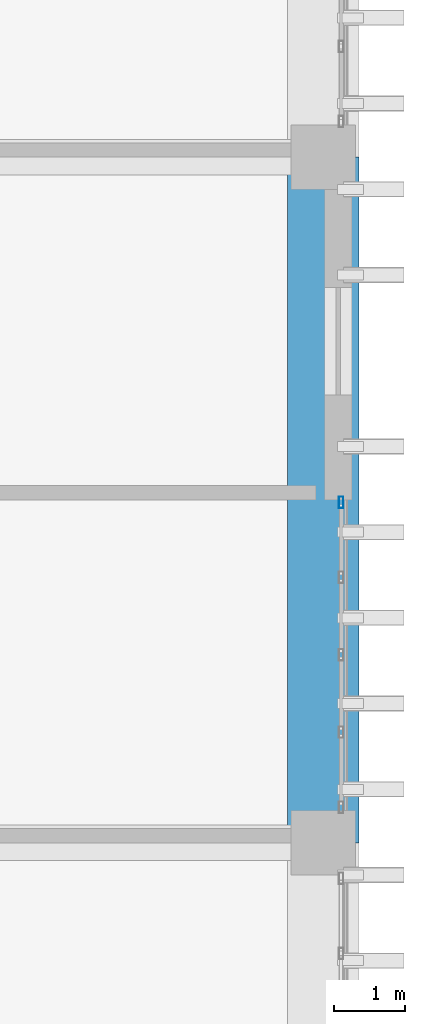
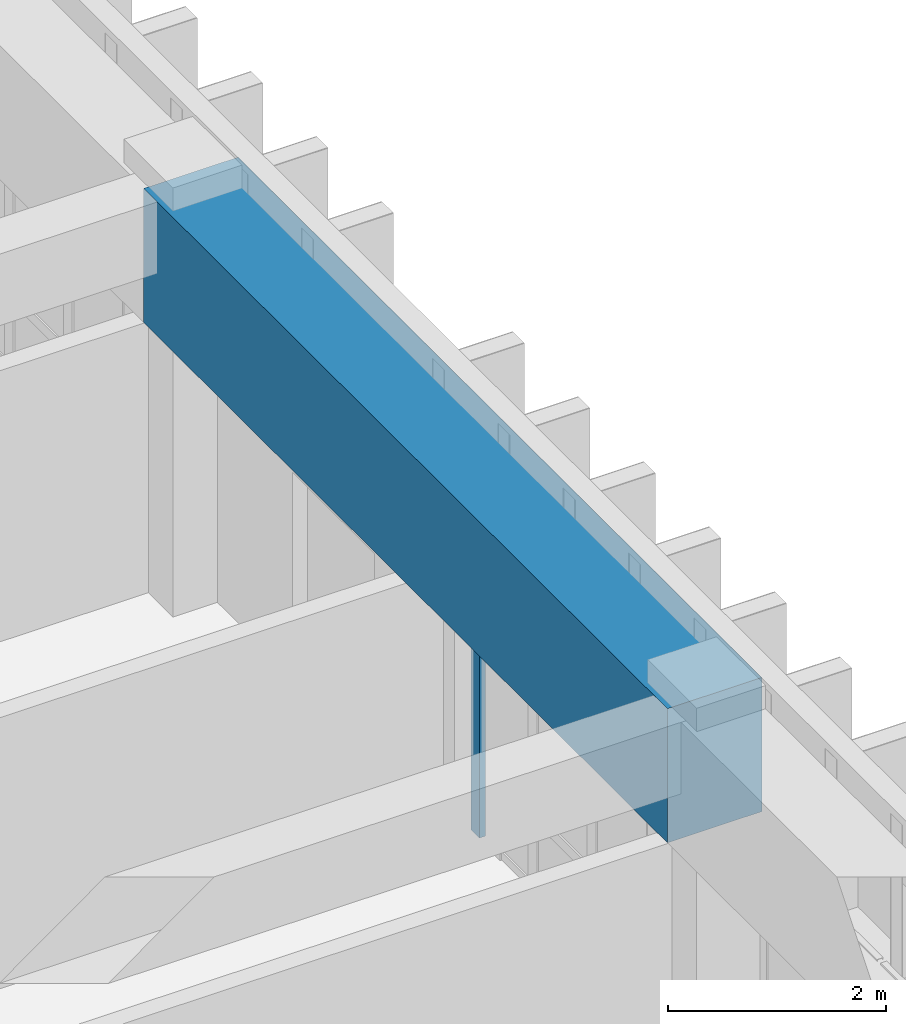
# One storey, part 58 of 101: 1 beam, 1 member, 1 element without a shape of its own.
"""IFC4 building model written with IfcOpenShell, lengths in metres."""

from ifc_helpers import new_model, si_unit, direction, frame, origin, origin_2d, place, context, subcontext, project, spatial, rectangle, hollow_rectangle, extrude, material, layer, layer_set, material_profile, profile_set, type_object, element, aggregate, save


model = new_model("IFC4")

# Units and contexts
model_context = context("Model", 3, precision=1e-05, world=origin(), true_north=direction((0.0, 1.0)))
body_context = subcontext(model_context, "Body", "Model", "MODEL_VIEW")
ifc_project = project(units=[si_unit("LENGTHUNIT", "METRE"), si_unit("AREAUNIT", "SQUARE_METRE"), si_unit("VOLUMEUNIT", "CUBIC_METRE"), si_unit("PLANEANGLEUNIT", "RADIAN"), si_unit("MASSUNIT", "GRAM", prefix="KILO")], contexts=[model_context])

# Site, building, storey
site_placement = place(None, origin())
site = spatial("IfcSite", under=ifc_project, at=site_placement, CompositionType="ELEMENT")
building_placement = place(site_placement, origin())
building = spatial("IfcBuilding", under=site, at=building_placement, Name="Nakhvara Creek Congress Hotel", CompositionType="ELEMENT")
storey_placement = place(building_placement, frame((0.0, 0.0, 16.199951171875)))
storey = spatial("IfcBuildingStorey", under=building, at=storey_placement, Name="L03", CompositionType="ELEMENT", Elevation=16.199951171875)

# Beam
ifc_material_1 = material(Name="Concrete C50/60", Category="concrete")
ifc_material_profile_1 = material_profile(ifc_material_1, rectangle(XDim=1.0, YDim=1.5, at=origin_2d()), Name="RC-TG 1000x1500", Category="LoadBearing")
ifc_profile_set_1 = profile_set([ifc_material_profile_1], Name="Concrete C50/60")
beam_type = type_object("IfcBeamType", Name="BM-TG2-1500", PredefinedType="BEAM", material=ifc_profile_set_1)
beam_placement = place(storey_placement, frame((179.35009765625, 105.60009765625, 3.7900390625), z_axis=(0.0, 1.0, 0.0), x_axis=(-1.0, 0.0, 0.0)))
element("IfcBeam", 1, at=beam_placement, inside=storey, type_object=beam_type, Name="Transfer Girder TG2-L03-1907", PredefinedType="BEAM", context=body_context, shape_type="SweptSolid", body=[
    extrude(rectangle(XDim=1.0, YDim=1.5, at=origin_2d()), origin(), (0.0, 0.0, 1.0), 9.599853515625),
])

# Curtain wall, member
ifc_material_2 = material(Name="Bronze-anodised aluminium AW-6063-T6 and double-silver low-E glass", Category="aluminium")
ifc_layer = layer(ifc_material_2, 0.199951171875)
ifc_layer_set = layer_set([ifc_layer], Name="Bronze-anodised aluminium AW-6063-T6 and double-silver low-E glass")
curtain_wall_type = type_object("IfcCurtainWallType", Name="CW-HTL-UNIT", PredefinedType="USERDEFINED", material=ifc_layer_set)
curtain_wall_placement = place(storey_placement, origin())
curtain_wall = element("IfcCurtainWall", 2, at=curtain_wall_placement, inside=storey, type_object=curtain_wall_type, Name="Curtain Wall CW167", ObjectType="UNITISED", PredefinedType="USERDEFINED")
ifc_material_3 = material(Name="Bronze-anodised aluminium AW-6063-T6", Category="aluminium")
ifc_material_profile_2 = material_profile(ifc_material_3, hollow_rectangle(XDim=0.06494140625, YDim=0.159912109375, WallThickness=0.00390625, at=origin_2d()), Name="ALU-MULL 65x160x4", Category="LoadBearing")
ifc_profile_set_2 = profile_set([ifc_material_profile_2], Name="Bronze-anodised aluminium AW-6063-T6")
member_type = type_object("IfcMemberType", Name="CW-MULL-160", PredefinedType="MULLION", material=ifc_profile_set_2)
member_placement = place(storey_placement, frame((179.60009765625, 110.367431640625, 0.0), z_axis=(0.0, 0.0, 1.0), x_axis=(1.0, 0.0, 0.0)))
member = element("IfcMember", 3, at=member_placement, type_object=member_type, Name="CW167 mullion 1", PredefinedType="MULLION", context=body_context, shape_type="SweptSolid", body=[
    extrude(hollow_rectangle(XDim=0.06494140625, YDim=0.159912109375, WallThickness=0.00390625, at=origin_2d()), origin(), (0.0, 0.0, 1.0), 3.031982421875),
])
aggregate(curtain_wall, [member])

save(model, "model.ifc")
